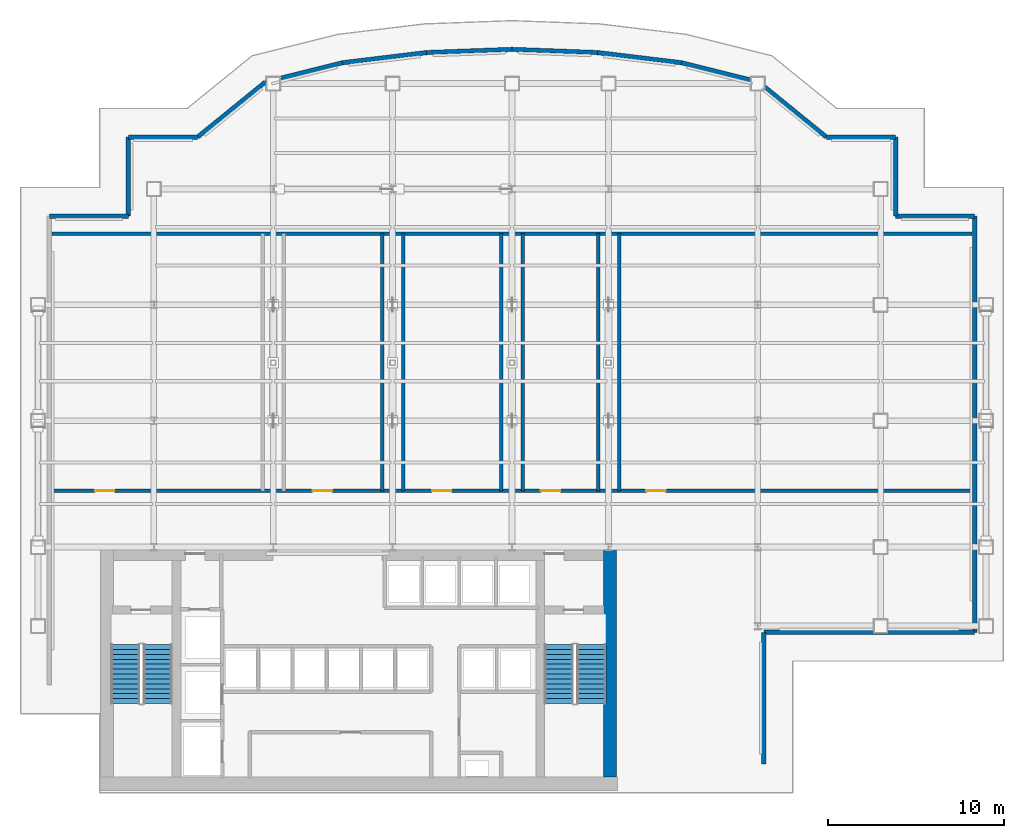
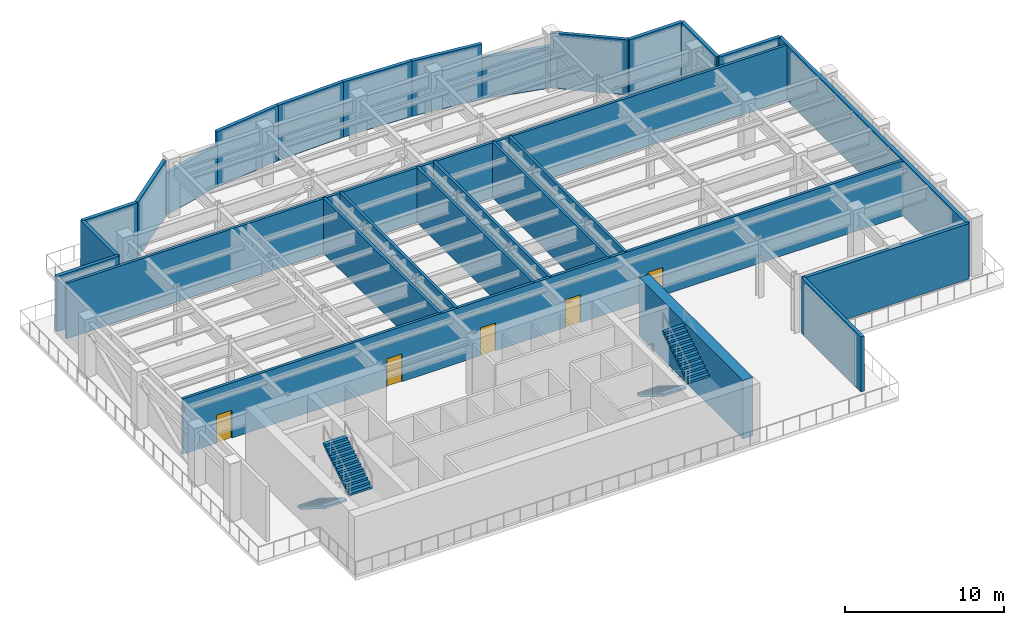
# One storey, part 9 of 12: 26 walls, 5 doors, 4 stair flights, 5 openings, 2 elements without a shape of their own.
"""IFC4 building model written with IfcOpenShell, lengths in metres."""

from ifc_helpers import new_model, si_unit, derived_unit, direction, frame, frame_2d, origin, place, context, subcontext, project, spatial, polyline, rectangle, outline, extrude, source, transform, mapped, material, layer, layer_set, type_object, element, fill, aggregate, save


model = new_model("IFC4")

# Units and contexts
model_context = context("Model", 3, precision=1e-05, world=origin(), true_north=direction((0.0, 1.0)))
body_context = subcontext(model_context, "Body", "Model", "MODEL_VIEW")
ifc_project = project(units=[si_unit("LENGTHUNIT", "METRE"), si_unit("AREAUNIT", "SQUARE_METRE"), si_unit("VOLUMEUNIT", "CUBIC_METRE"), si_unit("PLANEANGLEUNIT", "RADIAN"), si_unit("MASSUNIT", "GRAM", prefix="KILO"), derived_unit("THERMALTRANSMITTANCEUNIT", [(si_unit("POWERUNIT", "WATT"), 1), (si_unit("LENGTHUNIT", "METRE"), -2), (si_unit("THERMODYNAMICTEMPERATUREUNIT", "KELVIN"), -1)])], contexts=[model_context])

# Site, building, storey
site_placement = place(None, origin())
site = spatial("IfcSite", under=ifc_project, at=site_placement, CompositionType="ELEMENT")
building_placement = place(site_placement, origin())
building = spatial("IfcBuilding", under=site, at=building_placement, Name="Skarnbrae Concourse Arena and Tower", CompositionType="ELEMENT")
storey_placement = place(building_placement, frame((0.0, 0.0, 136.10009765625)))
storey = spatial("IfcBuildingStorey", under=building, at=storey_placement, Name="L34", CompositionType="ELEMENT", Elevation=136.10009765625)

# Walls
ifc_material_1 = material(Name="Concrete 60 MPa (C60/75)", Category="concrete")
ifc_layer_1 = layer(ifc_material_1, 0.75)
ifc_layer_set_1 = layer_set([ifc_layer_1], Name="Concrete 60 MPa (C60/75)")
wall_type_1 = type_object("IfcWallType", Name="WALL-CORE-750-C60", PredefinedType="SHEAR", material=ifc_layer_set_1)
shared_shape_1 = source(origin(), body_context, "Body", "SweptSolid", [
    extrude(rectangle(XDim=13.10009765625, YDim=0.75, at=frame_2d((6.550048828125, 0.0))), origin(), (0.0, 0.0, 1.0), 4.5),
])
wall_1_placement = place(storey_placement, frame((33.574951171875, 0.89990234375, 0.0), z_axis=(0.0, 0.0, 1.0), x_axis=(0.0, 1.0, 0.0)))
element("IfcWall", 1, at=wall_1_placement, inside=storey, type_object=wall_type_1, Name="L34 Rear core shear wall CW-E", PredefinedType="SHEAR", context=body_context, shape_type="MappedRepresentation", body=[
    mapped(shared_shape_1, transform((0.0, 0.0, 0.0))),
])
ifc_material_2 = material(Name="Precast concrete 40 MPa (C40/50)", Category="concrete")
ifc_layer_2 = layer(ifc_material_2, 0.25)
ifc_layer_set_2 = layer_set([ifc_layer_2], Name="Precast concrete 40 MPa (C40/50)")
wall_type_2 = type_object("IfcWallType", Name="WALL-EXT-SPANDREL-250", PredefinedType="STANDARD", material=ifc_layer_set_2)
shared_shape_2 = source(origin(), body_context, "Body", "SweptSolid", [
    extrude(rectangle(XDim=4.5, YDim=0.25, at=frame_2d((2.25, 0.0))), origin(), (0.0, 0.0, 1.0), 4.25),
])
for number, where, z_axis, x_axis, name in (
    (2, (1.64990234375, 32.85009765625, 0.0), (0.0, 0.0, 1.0), (1.0, 0.0, 0.0), "L34 Recessed refuge mechanical band wall 04"),
    (3, (6.14990234375, 32.85009765625, 0.0), (0.0, 0.0, 1.0), (0.0, 1.0, 0.0), "L34 Recessed refuge mechanical band wall 05"),
    (4, (49.85009765625, 37.35009765625, 0.0), (0.0, 0.0, 1.0), (0.0, -1.0, 0.0), "L34 Recessed refuge mechanical band wall 16"),
    (5, (49.85009765625, 32.85009765625, 0.0), (0.0, 0.0, 1.0), (1.0, 0.0, 0.0), "L34 Recessed refuge mechanical band wall 17"),
):
    element("IfcWall", number, at=place(storey_placement, frame(where, z_axis=z_axis, x_axis=x_axis)), inside=storey, type_object=wall_type_2, Name=name, PredefinedType="STANDARD", context=body_context, shape_type="MappedRepresentation", body=[
        mapped(shared_shape_2, transform((0.0, 0.0, 0.0))),
    ])
shared_shape_3 = source(origin(), body_context, "Body", "SweptSolid", [
    extrude(rectangle(XDim=3.935791015625, YDim=0.25, at=frame_2d((1.9677734375, 0.0))), origin(), (0.0, 0.0, 1.0), 4.25),
])
for number, where, z_axis, x_axis, name in (
    (6, (6.14990234375, 37.35009765625, 0.0), (0.0, 0.0, 1.0), (1.0, 0.0, 0.0), "L34 Recessed refuge mechanical band wall 06"),
    (7, (45.914306640625, 37.35009765625, 0.0), (0.0, 0.0, 1.0), (1.0, 0.0, 0.0), "L34 Recessed refuge mechanical band wall 15"),
):
    element("IfcWall", number, at=place(storey_placement, frame(where, z_axis=z_axis, x_axis=x_axis)), inside=storey, type_object=wall_type_2, Name=name, PredefinedType="STANDARD", context=body_context, shape_type="MappedRepresentation", body=[
        mapped(shared_shape_3, transform((0.0, 0.0, 0.0))),
    ])
shared_shape_4 = source(origin(), body_context, "Body", "SweptSolid", [
    extrude(rectangle(XDim=4.97216796875, YDim=0.25, at=frame_2d((2.486083984375, 0.0))), origin(), (0.0, 0.0, 1.0), 4.25),
])
for number, where, z_axis, x_axis, name in (
    (8, (10.085693359375, 37.35009765625, 0.0), (0.0, 0.0, 1.0), (0.77625366185, 0.630420694825, 0.0), "L34 Recessed refuge mechanical band wall 07"),
    (9, (42.0546875, 40.484619140625, 0.0), (0.0, 0.0, 1.0), (0.77625366185, -0.630420694825, 0.0), "L34 Recessed refuge mechanical band wall 14"),
):
    element("IfcWall", number, at=place(storey_placement, frame(where, z_axis=z_axis, x_axis=x_axis)), inside=storey, type_object=wall_type_2, Name=name, PredefinedType="STANDARD", context=body_context, shape_type="MappedRepresentation", body=[
        mapped(shared_shape_4, transform((0.0, 0.0, 0.0))),
    ])
shared_shape_5 = source(origin(), body_context, "Body", "SweptSolid", [
    extrude(rectangle(XDim=4.52783203125, YDim=0.25, at=frame_2d((2.263916015625, 0.0))), origin(), (0.0, 0.0, 1.0), 3.19482421875),
])
for number, where, z_axis, x_axis, name in (
    (10, (13.9453125, 40.484619140625, 0.0), (0.0, 0.0, 1.0), (0.969900969856, 0.243499709799, 0.0), "L34 Recessed refuge mechanical band wall 08"),
    (11, (37.6630859375, 41.587158203125, 0.0), (0.0, 0.0, 1.0), (0.969900969856, -0.243499709799, 0.0), "L34 Recessed refuge mechanical band wall 13"),
):
    element("IfcWall", number, at=place(storey_placement, frame(where, z_axis=z_axis, x_axis=x_axis)), inside=storey, type_object=wall_type_2, Name=name, PredefinedType="STANDARD", context=body_context, shape_type="MappedRepresentation", body=[
        mapped(shared_shape_5, transform((0.0, 0.0, 0.0))),
    ])
shared_shape_6 = source(origin(), body_context, "Body", "SweptSolid", [
    extrude(rectangle(XDim=4.8291015625, YDim=0.25, at=frame_2d((2.41455078125, 0.0))), origin(), (0.0, 0.0, 1.0), 4.25),
])
for number, where, z_axis, x_axis, name in (
    (12, (18.3369140625, 41.587158203125, 0.0), (0.0, 0.0, 1.0), (0.992747318065, 0.120219642632, 0.0), "L34 Recessed refuge mechanical band wall 09"),
    (13, (32.868896484375, 42.167724609375, 0.0), (0.0, 0.0, 1.0), (0.992747318065, -0.120219642632, 0.0), "L34 Recessed refuge mechanical band wall 12"),
):
    element("IfcWall", number, at=place(storey_placement, frame(where, z_axis=z_axis, x_axis=x_axis)), inside=storey, type_object=wall_type_2, Name=name, PredefinedType="STANDARD", context=body_context, shape_type="MappedRepresentation", body=[
        mapped(shared_shape_6, transform((0.0, 0.0, 0.0))),
    ])
shared_shape_7 = source(origin(), body_context, "Body", "SweptSolid", [
    extrude(rectangle(XDim=4.872314453125, YDim=0.25, at=frame_2d((2.43603515625, 0.0))), origin(), (0.0, 0.0, 1.0), 4.25),
])
for number, where, z_axis, x_axis, name in (
    (14, (23.131103515625, 42.167724609375, 0.0), (0.0, 0.0, 1.0), (0.999308573166, 0.037180311954, 0.0), "L34 Recessed refuge mechanical band wall 10"),
    (15, (28.0, 42.348876953125, 0.0), (0.0, 0.0, 1.0), (0.999308573166, -0.037180311954, 0.0), "L34 Recessed refuge mechanical band wall 11"),
):
    element("IfcWall", number, at=place(storey_placement, frame(where, z_axis=z_axis, x_axis=x_axis)), inside=storey, type_object=wall_type_2, Name=name, PredefinedType="STANDARD", context=body_context, shape_type="MappedRepresentation", body=[
        mapped(shared_shape_7, transform((0.0, 0.0, 0.0))),
    ])
shared_shape_8 = source(origin(), body_context, "Body", "SweptSolid", [
    extrude(rectangle(XDim=23.7001953125, YDim=0.25, at=frame_2d((11.85009765625, 0.0))), origin(), (0.0, 0.0, 1.0), 4.25),
])
wall_2_placement = place(storey_placement, frame((54.35009765625, 32.85009765625, 0.0), z_axis=(0.0, 0.0, 1.0), x_axis=(0.0, -1.0, 0.0)))
element("IfcWall", 16, at=wall_2_placement, inside=storey, type_object=wall_type_2, Name="L34 Recessed refuge mechanical band wall 18", PredefinedType="STANDARD", context=body_context, shape_type="MappedRepresentation", body=[
    mapped(shared_shape_8, transform((0.0, 0.0, 0.0))),
])
shared_shape_9 = source(origin(), body_context, "Body", "SweptSolid", [
    extrude(rectangle(XDim=12.0, YDim=0.25, at=frame_2d((6.0, 0.0))), origin(), (0.0, 0.0, 1.0), 4.25),
])
wall_3_placement = place(storey_placement, frame((54.35009765625, 9.14990234375, 0.0), z_axis=(0.0, 0.0, 1.0), x_axis=(-1.0, 0.0, 0.0)))
element("IfcWall", 17, at=wall_3_placement, inside=storey, type_object=wall_type_2, Name="L34 Recessed refuge mechanical band wall 19", PredefinedType="STANDARD", context=body_context, shape_type="MappedRepresentation", body=[
    mapped(shared_shape_9, transform((0.0, 0.0, 0.0))),
])
shared_shape_10 = source(origin(), body_context, "Body", "SweptSolid", [
    extrude(rectangle(XDim=7.5, YDim=0.25, at=frame_2d((3.75, 0.0))), origin(), (0.0, 0.0, 1.0), 4.25),
])
wall_4_placement = place(storey_placement, frame((42.35009765625, 9.14990234375, 0.0), z_axis=(0.0, 0.0, 1.0), x_axis=(0.0, -1.0, 0.0)))
element("IfcWall", 18, at=wall_4_placement, inside=storey, type_object=wall_type_2, Name="L34 Recessed refuge mechanical band wall 20", PredefinedType="STANDARD", context=body_context, shape_type="MappedRepresentation", body=[
    mapped(shared_shape_10, transform((0.0, 0.0, 0.0))),
])

# Wall, openings, doors
ifc_material_3 = material(Name="Gypsum board on cold-formed steel studs", Category="steel")
ifc_layer_3 = layer(ifc_material_3, 0.199951171875)
ifc_layer_set_3 = layer_set([ifc_layer_3], Name="Gypsum board on cold-formed steel studs")
wall_type_3 = type_object("IfcWallType", Name="WALL-PART-200-2HR", PredefinedType="PARTITIONING", material=ifc_layer_set_3)
shared_shape_11 = source(origin(), body_context, "Body", "SweptSolid", [
    extrude(rectangle(XDim=52.419921875, YDim=0.199951171875, at=frame_2d((26.2099609375, 0.0))), origin(), (0.0, 0.0, 1.0), 4.25),
])
wall_5_placement = place(storey_placement, frame((1.7900390625, 17.199951171875, 0.0), z_axis=(0.0, 0.0, 1.0), x_axis=(1.0, 0.0, 0.0)))
wall_5 = element("IfcWall", 19, at=wall_5_placement, inside=storey, type_object=wall_type_3, Name="L34 Interior partition wall W-L34-PCN", PredefinedType="PARTITIONING", context=body_context, shape_type="MappedRepresentation", body=[
    mapped(shared_shape_11, transform((0.0, 0.0, 0.0))),
])
opening_1_placement = place(wall_5_placement, frame((2.4599609375, 0.0, 0.0)))
opening_1 = element("IfcOpeningElement", 20, at=opening_1_placement, cuts=wall_5, Name="Opening DT-03", PredefinedType="OPENING", context=body_context, shape_type="SweptSolid", body=[
    extrude(rectangle(XDim=1.10009765625, YDim=2.14990234375, at=frame_2d((0.550048828125, 1.074951171875))), frame((0.0, 0.10986328125, 0.0), z_axis=(0.0, -1.0, 0.0), x_axis=(1.0, 0.0, 0.0)), (0.0, 0.0, 1.0), 0.219970703125),
])
opening_2_placement = place(wall_5_placement, frame((14.860107421875, 0.0, 0.0)))
opening_2 = element("IfcOpeningElement", 21, at=opening_2_placement, cuts=wall_5, Name="Opening DT-03", PredefinedType="OPENING", context=body_context, shape_type="SweptSolid", body=[
    extrude(rectangle(XDim=1.10009765625, YDim=2.14990234375, at=frame_2d((0.550048828125, 1.074951171875))), frame((0.0, 0.10986328125, 0.0), z_axis=(0.0, -1.0, 0.0), x_axis=(1.0, 0.0, 0.0)), (0.0, 0.0, 1.0), 0.219970703125),
])
opening_3_placement = place(wall_5_placement, frame((21.659912109375, 0.0, 0.0)))
opening_3 = element("IfcOpeningElement", 22, at=opening_3_placement, cuts=wall_5, Name="Opening DT-03", PredefinedType="OPENING", context=body_context, shape_type="SweptSolid", body=[
    extrude(rectangle(XDim=1.10009765625, YDim=2.14990234375, at=frame_2d((0.550048828125, 1.074951171875))), frame((0.0, 0.10986328125, 0.0), z_axis=(0.0, -1.0, 0.0), x_axis=(1.0, 0.0, 0.0)), (0.0, 0.0, 1.0), 0.219970703125),
])
opening_4_placement = place(wall_5_placement, frame((27.860107421875, 0.0, 0.0)))
opening_4 = element("IfcOpeningElement", 23, at=opening_4_placement, cuts=wall_5, Name="Opening DT-03", PredefinedType="OPENING", context=body_context, shape_type="SweptSolid", body=[
    extrude(rectangle(XDim=1.10009765625, YDim=2.14990234375, at=frame_2d((0.550048828125, 1.074951171875))), frame((0.0, 0.10986328125, 0.0), z_axis=(0.0, -1.0, 0.0), x_axis=(1.0, 0.0, 0.0)), (0.0, 0.0, 1.0), 0.219970703125),
])
opening_5_placement = place(wall_5_placement, frame((33.860107421875, 0.0, 0.0)))
opening_5 = element("IfcOpeningElement", 24, at=opening_5_placement, cuts=wall_5, Name="Opening DT-03", PredefinedType="OPENING", context=body_context, shape_type="SweptSolid", body=[
    extrude(rectangle(XDim=1.10009765625, YDim=2.14990234375, at=frame_2d((0.550048828125, 1.074951171875))), frame((0.0, 0.10986328125, 0.0), z_axis=(0.0, -1.0, 0.0), x_axis=(1.0, 0.0, 0.0)), (0.0, 0.0, 1.0), 0.219970703125),
])
ifc_material_4 = material(Name="Steel CSA G40.21 350W", Category="steel")
door_type = type_object("IfcDoorType", Name="DOOR-FIRE-1100-90M", OperationType="NOTDEFINED", PredefinedType="DOOR", material=ifc_material_4)
shared_shape_12 = source(origin(), body_context, "Body", "SweptSolid", [
    extrude(rectangle(XDim=1.10009765625, YDim=2.14990234375, at=frame_2d((0.550048828125, 1.074951171875))), frame((0.0, 0.02490234375, 0.0), z_axis=(0.0, -1.0, 0.0), x_axis=(1.0, 0.0, 0.0)), (0.0, 0.0, 1.0), 0.050048828125),
])
door_1_placement = place(opening_1_placement, origin())
door_1 = element("IfcDoor", 25, at=door_1_placement, inside=storey, type_object=door_type, Name="D-1090 Refuge Area West Door", OperationType="SINGLE_SWING_LEFT", OverallHeight=2.14990234375, OverallWidth=1.10009765625, PredefinedType="DOOR", context=body_context, shape_type="MappedRepresentation", body=[
    mapped(shared_shape_12, transform((0.0, 0.0, 0.0))),
])
fill(opening_1, door_1)
door_2_placement = place(opening_2_placement, origin())
door_2 = element("IfcDoor", 26, at=door_2_placement, inside=storey, type_object=door_type, Name="D-1091 Chiller and Heat Rejection Mechanical Plant Door", OperationType="SINGLE_SWING_RIGHT", OverallHeight=2.14990234375, OverallWidth=1.10009765625, PredefinedType="DOOR", context=body_context, shape_type="MappedRepresentation", body=[
    mapped(shared_shape_12, transform((0.0, 0.0, 0.0))),
])
fill(opening_2, door_2)
door_3_placement = place(opening_3_placement, origin())
door_3 = element("IfcDoor", 27, at=door_3_placement, inside=storey, type_object=door_type, Name="D-1092 AHU Supply Fan Mechanical Plant Room Door", OperationType="SINGLE_SWING_LEFT", OverallHeight=2.14990234375, OverallWidth=1.10009765625, PredefinedType="DOOR", context=body_context, shape_type="MappedRepresentation", body=[
    mapped(shared_shape_12, transform((0.0, 0.0, 0.0))),
])
fill(opening_3, door_3)
door_4_placement = place(opening_4_placement, origin())
door_4 = element("IfcDoor", 28, at=door_4_placement, inside=storey, type_object=door_type, Name="D-1093 Domestic Booster and Fire Pump Mechanical Plant Door", OperationType="SINGLE_SWING_RIGHT", OverallHeight=2.14990234375, OverallWidth=1.10009765625, PredefinedType="DOOR", context=body_context, shape_type="MappedRepresentation", body=[
    mapped(shared_shape_12, transform((0.0, 0.0, 0.0))),
])
fill(opening_4, door_4)
door_5_placement = place(opening_5_placement, origin())
door_5 = element("IfcDoor", 29, at=door_5_placement, inside=storey, type_object=door_type, Name="D-1094 Refuge Area East Door", OperationType="SINGLE_SWING_LEFT", OverallHeight=2.14990234375, OverallWidth=1.10009765625, PredefinedType="DOOR", context=body_context, shape_type="MappedRepresentation", body=[
    mapped(shared_shape_12, transform((0.0, 0.0, 0.0))),
])
fill(opening_5, door_5)

# Walls
wall_6_placement = place(storey_placement, frame((1.7900390625, 31.85009765625, 0.0), z_axis=(0.0, 0.0, 1.0), x_axis=(1.0, 0.0, 0.0)))
element("IfcWall", 30, at=wall_6_placement, inside=storey, type_object=wall_type_3, Name="L34 Interior partition wall W-L34-BTN-S", PredefinedType="PARTITIONING", context=body_context, shape_type="MappedRepresentation", body=[
    mapped(shared_shape_11, transform((0.0, 0.0, 0.0))),
])
shared_shape_13 = source(origin(), body_context, "Body", "SweptSolid", [
    extrude(rectangle(XDim=14.650146484375, YDim=0.199951171875, at=frame_2d((7.3251953125, 0.0))), origin(), (0.0, 0.0, 1.0), 4.25),
])
for number, where, z_axis, x_axis, name in (
    (31, (20.60009765625, 17.199951171875, 0.0), (0.0, 0.0, 1.0), (0.0, 1.0, 0.0), "L34 Interior partition wall W-L34-OCH-206"),
    (32, (21.800048828125, 17.199951171875, 0.0), (0.0, 0.0, 1.0), (0.0, 1.0, 0.0), "L34 Interior partition wall W-L34-OCH-218"),
    (33, (27.39990234375, 17.199951171875, 0.0), (0.0, 0.0, 1.0), (0.0, 1.0, 0.0), "L34 Interior partition wall W-L34-OCH-274"),
    (34, (28.60009765625, 17.199951171875, 0.0), (0.0, 0.0, 1.0), (0.0, 1.0, 0.0), "L34 Interior partition wall W-L34-OCH-286"),
    (35, (32.89990234375, 17.199951171875, 0.0), (0.0, 0.0, 1.0), (0.0, 1.0, 0.0), "L34 Interior partition wall W-L34-OCH-329"),
    (36, (34.10009765625, 17.199951171875, 0.0), (0.0, 0.0, 1.0), (0.0, 1.0, 0.0), "L34 Interior partition wall W-L34-OCH-341"),
):
    element("IfcWall", number, at=place(storey_placement, frame(where, z_axis=z_axis, x_axis=x_axis)), inside=storey, type_object=wall_type_3, Name=name, PredefinedType="PARTITIONING", context=body_context, shape_type="MappedRepresentation", body=[
        mapped(shared_shape_13, transform((0.0, 0.0, 0.0))),
    ])

# Stair, stair flights
ifc_material_5 = material(Name="Concrete 40 MPa (C40/50)", Category="concrete")
stair_type = type_object("IfcStairType", Name="STAIR-DOGLEG-1650", PredefinedType="HALF_TURN_STAIR", material=ifc_material_5)
stair_1_placement = place(storey_placement, origin())
stair_1 = element("IfcStair", 37, at=stair_1_placement, inside=storey, type_object=stair_type, Name="L34 Protected Exit Stair ST-1", PredefinedType="HALF_TURN_STAIR")
stair_flight_type = type_object("IfcStairFlightType", Name="FLIGHT-STRAIGHT-1650", PredefinedType="STRAIGHT", material=ifc_material_5)
shared_shape_14 = source(origin(), body_context, "Body", "SweptSolid", [
    extrude(outline(polyline([(0.0, 0.0), (0.0, 0.173095703125), (0.280029296875, 0.173095703125), (0.280029296875, 0.34619140625), (0.56005859375, 0.34619140625), (0.56005859375, 0.519287109375), (0.840087890625, 0.519287109375), (0.840087890625, 0.6923828125), (1.1201171875, 0.6923828125), (1.1201171875, 0.865478515625), (1.39990234375, 0.865478515625), (1.39990234375, 1.03857421875), (1.679931640625, 1.03857421875), (1.679931640625, 1.21142578125), (1.9599609375, 1.21142578125), (1.9599609375, 1.384521484375), (2.239990234375, 1.384521484375), (2.239990234375, 1.5576171875), (2.52001953125, 1.5576171875), (2.52001953125, 1.730712890625), (2.800048828125, 1.730712890625), (2.800048828125, 1.90380859375), (3.080078125, 1.90380859375), (3.080078125, 2.076904296875), (3.360107421875, 2.076904296875), (3.360107421875, 2.25), (3.360107421875, 1.900634765625), (0.28515625, 0.0), (0.0, 0.0)])), frame((0.0, 0.824951171875, 0.0), z_axis=(0.0, -1.0, 0.0), x_axis=(1.0, 0.0, 0.0)), (0.0, 0.0, 1.0), 1.64990234375),
])
stair_flight_1_placement = place(storey_placement, frame((5.97509765625, 8.449951171875, 0.0), z_axis=(0.0, 0.0, 1.0), x_axis=(0.0, -1.0, 0.0)))
stair_flight_1 = element("IfcStairFlight", 38, at=stair_flight_1_placement, type_object=stair_flight_type, Name="ST-1 flight 1", NumberOfRisers=13, NumberOfTreads=12, PredefinedType="STRAIGHT", RiserHeight=0.173076923, TreadLength=0.28, context=body_context, shape_type="MappedRepresentation", body=[
    mapped(shared_shape_14, transform((0.0, 0.0, 0.0))),
])
stair_flight_2_placement = place(storey_placement, frame((7.824951171875, 5.090087890625, 2.25), z_axis=(0.0, 0.0, 1.0), x_axis=(0.0, 1.0, 0.0)))
stair_flight_2 = element("IfcStairFlight", 39, at=stair_flight_2_placement, type_object=stair_flight_type, Name="ST-1 flight 2", NumberOfRisers=13, NumberOfTreads=12, PredefinedType="STRAIGHT", RiserHeight=0.173076923, TreadLength=0.28, context=body_context, shape_type="MappedRepresentation", body=[
    mapped(shared_shape_14, transform((0.0, 0.0, 0.0))),
])
aggregate(stair_1, [stair_flight_1, stair_flight_2])

stair_2_placement = place(storey_placement, origin())
stair_2 = element("IfcStair", 40, at=stair_2_placement, inside=storey, type_object=stair_type, Name="L34 Protected Exit Stair ST-2", PredefinedType="HALF_TURN_STAIR")
stair_flight_3_placement = place(storey_placement, frame((30.675048828125, 8.449951171875, 0.0), z_axis=(0.0, 0.0, 1.0), x_axis=(0.0, -1.0, 0.0)))
stair_flight_3 = element("IfcStairFlight", 41, at=stair_flight_3_placement, type_object=stair_flight_type, Name="ST-2 flight 1", NumberOfRisers=13, NumberOfTreads=12, PredefinedType="STRAIGHT", RiserHeight=0.173076923, TreadLength=0.28, context=body_context, shape_type="MappedRepresentation", body=[
    mapped(shared_shape_14, transform((0.0, 0.0, 0.0))),
])
stair_flight_4_placement = place(storey_placement, frame((32.52490234375, 5.090087890625, 2.25), z_axis=(0.0, 0.0, 1.0), x_axis=(0.0, 1.0, 0.0)))
stair_flight_4 = element("IfcStairFlight", 42, at=stair_flight_4_placement, type_object=stair_flight_type, Name="ST-2 flight 2", NumberOfRisers=13, NumberOfTreads=12, PredefinedType="STRAIGHT", RiserHeight=0.173076923, TreadLength=0.28, context=body_context, shape_type="MappedRepresentation", body=[
    mapped(shared_shape_14, transform((0.0, 0.0, 0.0))),
])
aggregate(stair_2, [stair_flight_3, stair_flight_4])

save(model, "model.ifc")
